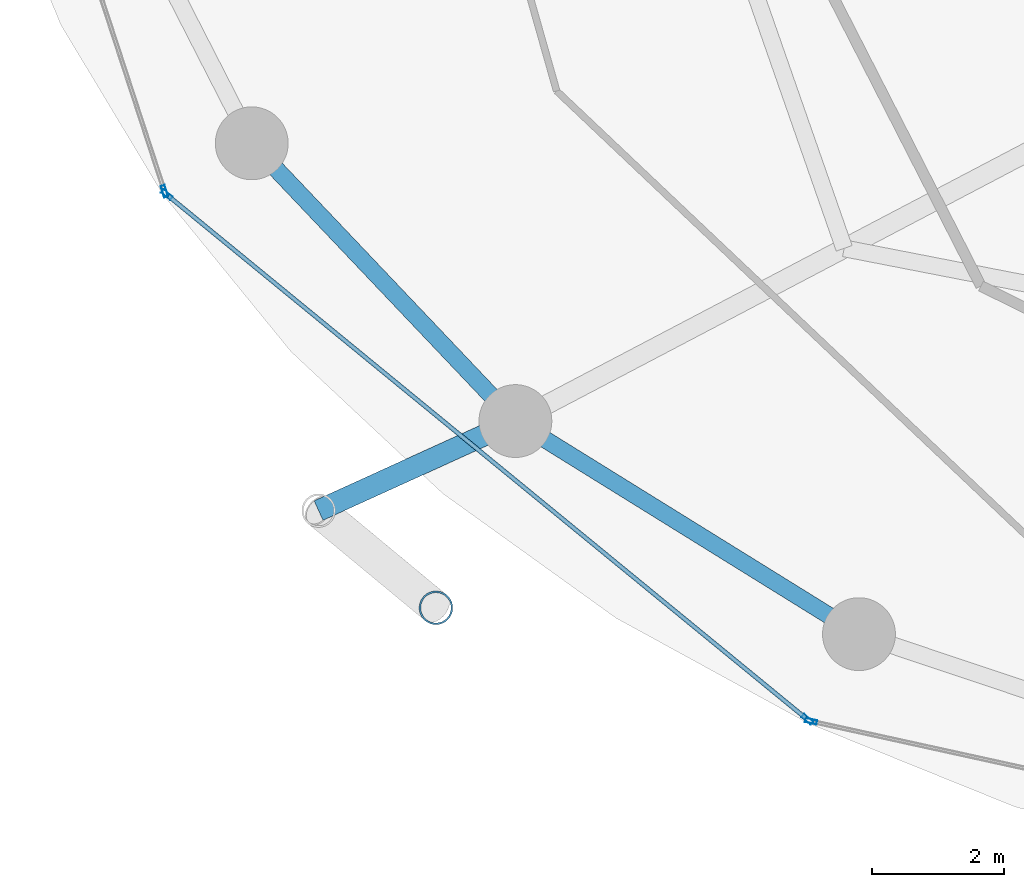
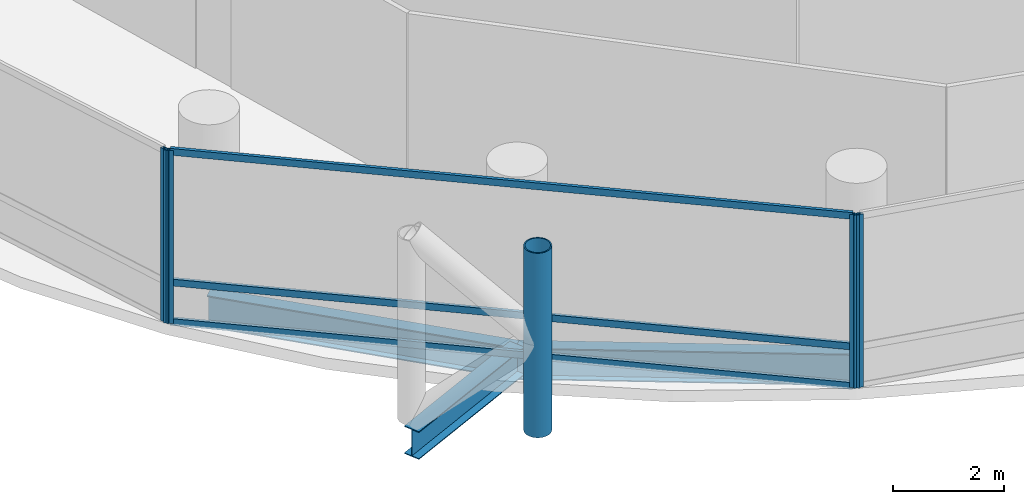
# One storey, part 2 of 24: 8 members, 3 beams, 3 elements without a shape of their own.
"""IFC4 building model written with IfcOpenShell, lengths in metres."""

from ifc_helpers import new_model, si_unit, direction, frame, origin, origin_2d, place, context, subcontext, project, spatial, hollow_rectangle, hollow_circle, i_section, extrude, material, layer, layer_set, material_profile, profile_set, type_object, element, aggregate, save


model = new_model("IFC4")

# Units and contexts
model_context = context("Model", 3, precision=1e-05, world=origin(), true_north=direction((0.0, 1.0)))
body_context = subcontext(model_context, "Body", "Model", "MODEL_VIEW")
ifc_project = project(units=[si_unit("LENGTHUNIT", "METRE"), si_unit("AREAUNIT", "SQUARE_METRE"), si_unit("VOLUMEUNIT", "CUBIC_METRE"), si_unit("PLANEANGLEUNIT", "RADIAN"), si_unit("MASSUNIT", "GRAM", prefix="KILO")], contexts=[model_context])

# Site, building, storey
site_placement = place(None, origin())
site = spatial("IfcSite", under=ifc_project, at=site_placement, CompositionType="ELEMENT")
building_placement = place(site_placement, origin())
building = spatial("IfcBuilding", under=site, at=building_placement, Name="Nuhasar Tower", CompositionType="ELEMENT")
storey_placement = place(building_placement, frame((0.0, 0.0, 77.699951171875)))
storey = spatial("IfcBuildingStorey", under=building, at=storey_placement, Name="L18", CompositionType="ELEMENT", Elevation=77.699951171875)

# Beams
ifc_material_1 = material(Name="Steel S355", Category="steel")
ifc_material_profile_1 = material_profile(ifc_material_1, i_section(OverallWidth=0.256103515625, OverallDepth=0.693115234375, WebThickness=0.014404296875, FlangeThickness=0.023681640625, at=origin_2d()), Name="W27X114")
ifc_profile_set_1 = profile_set([ifc_material_profile_1], Name="Steel S355")
beam_type_1 = type_object("IfcBeamType", Name="BM-RING-W27X114", PredefinedType="SPANDREL", material=ifc_profile_set_1)
beam_1_placement = place(storey_placement, frame((17.305908203125, 16.675048828125, -0.596923828125), z_axis=(0.688459812429, -0.725274490569, 0.0), x_axis=(0.725274490569, 0.688459812429, 0.0)))
element("IfcBeam", 1, at=beam_1_placement, inside=storey, type_object=beam_type_1, Name="L18 Perimeter Ring Spandrel 15", PredefinedType="SPANDREL", context=body_context, shape_type="SweptSolid", body=[
    extrude(i_section(OverallWidth=0.256103515625, OverallDepth=0.693115234375, WebThickness=0.014404296875, FlangeThickness=0.023681640625, at=origin_2d()), origin(), (0.0, 0.0, 1.0), 5.78271484375),
])
beam_2_placement = place(storey_placement, frame((21.287109375, 12.48095703125, -0.596923828125), z_axis=(0.849795216549, -0.527112976439, 0.0), x_axis=(0.527112976439, 0.849795216549, 0.0)))
element("IfcBeam", 2, at=beam_2_placement, inside=storey, type_object=beam_type_1, Name="L18 Perimeter Ring Spandrel 16", PredefinedType="SPANDREL", context=body_context, shape_type="SweptSolid", body=[
    extrude(i_section(OverallWidth=0.256103515625, OverallDepth=0.693115234375, WebThickness=0.014404296875, FlangeThickness=0.023681640625, at=origin_2d()), origin(), (0.0, 0.0, 1.0), 6.10498046875),
])
ifc_material_profile_2 = material_profile(ifc_material_1, i_section(OverallWidth=0.323974609375, OverallDepth=0.611083984375, WebThickness=0.0126953125, FlangeThickness=0.01904296875, at=origin_2d()), Name="W24X104")
ifc_profile_set_2 = profile_set([ifc_material_profile_2], Name="Steel S355")
beam_type_2 = type_object("IfcBeamType", Name="BM-TIE-W24X104", PredefinedType="BEAM", material=ifc_profile_set_2)
beam_3_placement = place(storey_placement, frame((21.287109375, 12.48095703125, -0.554931640625), z_axis=(-0.910243528587, -0.414073325227, 0.0), x_axis=(0.414073325227, -0.910243528587, 0.0)))
element("IfcBeam", 3, at=beam_3_placement, inside=storey, type_object=beam_type_2, Name="L18 Exoskeleton Node Tie Beam 08", PredefinedType="BEAM", context=body_context, shape_type="SweptSolid", body=[
    extrude(i_section(OverallWidth=0.323974609375, OverallDepth=0.611083984375, WebThickness=0.0126953125, FlangeThickness=0.01904296875, at=origin_2d()), origin(), (0.0, 0.0, 1.0), 3.26513671875),
])

# Curtain wall, member
ifc_material_2 = material(Name="Aluminium 6063-T6", Category="aluminium")
ifc_layer = layer(ifc_material_2, 0.199951171875)
ifc_layer_set = layer_set([ifc_layer], Name="Aluminium 6063-T6")
curtain_wall_type = type_object("IfcCurtainWallType", Name="CW-Z1-OFF", PredefinedType="NOTDEFINED", material=ifc_layer_set)
curtain_wall_1_placement = place(storey_placement, origin())
curtain_wall_1 = element("IfcCurtainWall", 4, at=curtain_wall_1_placement, inside=storey, type_object=curtain_wall_type, Name="L18 Unitised Curtain Wall 07", PredefinedType="NOTDEFINED")
ifc_material_profile_3 = material_profile(ifc_material_2, hollow_rectangle(XDim=0.06494140625, YDim=0.179931640625, WallThickness=0.0048828125, at=origin_2d()), Name="CWM-2")
ifc_profile_set_3 = profile_set([ifc_material_profile_3], Name="Aluminium 6063-T6")
member_type_1 = type_object("IfcMemberType", Name="CW-MUL-S2", PredefinedType="MULLION", material=ifc_profile_set_3)
member_1_placement = place(storey_placement, frame((15.98779296875, 15.950927734375, 0.0), z_axis=(0.0, 0.0, 1.0), x_axis=(0.950467534571, 0.310823849997, 0.0)))
member_1 = element("IfcMember", 5, at=member_1_placement, type_object=member_type_1, Name="CW-Z1 mullion 2", PredefinedType="MULLION", context=body_context, shape_type="SweptSolid", body=[
    extrude(hollow_rectangle(XDim=0.06494140625, YDim=0.179931640625, WallThickness=0.0048828125, at=origin_2d()), origin(), (0.0, 0.0, 1.0), 3.800048828125),
])
aggregate(curtain_wall_1, [member_1])

# Curtain wall, members
curtain_wall_2_placement = place(storey_placement, origin())
curtain_wall_2 = element("IfcCurtainWall", 6, at=curtain_wall_2_placement, inside=storey, type_object=curtain_wall_type, Name="L18 Unitised Curtain Wall 08", PredefinedType="NOTDEFINED")
member_2_placement = place(storey_placement, frame((16.023193359375, 15.8994140625, 0.0), z_axis=(0.0, 0.0, 1.0), x_axis=(0.633744593376, 0.773542364946, 0.0)))
member_2 = element("IfcMember", 7, at=member_2_placement, type_object=member_type_1, Name="CW-Z1 mullion 1", PredefinedType="MULLION", context=body_context, shape_type="SweptSolid", body=[
    extrude(hollow_rectangle(XDim=0.06494140625, YDim=0.179931640625, WallThickness=0.0048828125, at=origin_2d()), origin(), (0.0, 0.0, 1.0), 3.800048828125),
])
member_3_placement = place(storey_placement, frame((25.69482421875, 7.9755859375, 0.0), z_axis=(0.0, 0.0, 1.0), x_axis=(0.633744593376, 0.773542364946, 0.0)))
member_3 = element("IfcMember", 8, at=member_3_placement, type_object=member_type_1, Name="CW-Z1 mullion 2", PredefinedType="MULLION", context=body_context, shape_type="SweptSolid", body=[
    extrude(hollow_rectangle(XDim=0.06494140625, YDim=0.179931640625, WallThickness=0.0048828125, at=origin_2d()), origin(), (0.0, 0.0, 1.0), 3.800048828125),
])

# Curtain wall, member
curtain_wall_3_placement = place(storey_placement, origin())
curtain_wall_3 = element("IfcCurtainWall", 9, at=curtain_wall_3_placement, inside=storey, type_object=curtain_wall_type, Name="L18 Unitised Curtain Wall 09", PredefinedType="NOTDEFINED")
member_4_placement = place(storey_placement, frame((25.751708984375, 7.947998046875, 0.0), z_axis=(0.0, 0.0, 1.0), x_axis=(0.214398737637, 0.976746221544, 0.0)))
member_4 = element("IfcMember", 10, at=member_4_placement, type_object=member_type_1, Name="CW-Z1 mullion 1", PredefinedType="MULLION", context=body_context, shape_type="SweptSolid", body=[
    extrude(hollow_rectangle(XDim=0.06494140625, YDim=0.179931640625, WallThickness=0.0048828125, at=origin_2d()), origin(), (0.0, 0.0, 1.0), 3.800048828125),
])
aggregate(curtain_wall_3, [member_4])

# Member
ifc_material_profile_4 = material_profile(ifc_material_2, hollow_rectangle(XDim=0.06494140625, YDim=0.14990234375, WallThickness=0.00439453125, at=origin_2d()), Name="CWT-2")
ifc_profile_set_4 = profile_set([ifc_material_profile_4], Name="Aluminium 6063-T6")
member_type_2 = type_object("IfcMemberType", Name="CW-TRN-S2", PredefinedType="USERDEFINED", material=ifc_profile_set_4)
member_5_placement = place(storey_placement, frame((16.04833984375, 15.87890625, 0.032470703125), z_axis=(0.773531229158, -0.633758185365, 0.0), x_axis=(0.633758185365, 0.773531229158, 0.0)))
member_5 = element("IfcMember", 11, at=member_5_placement, type_object=member_type_2, Name="CW-Z1 transom 1.1", ObjectType="TRANSOM", PredefinedType="USERDEFINED", context=body_context, shape_type="SweptSolid", body=[
    extrude(hollow_rectangle(XDim=0.06494140625, YDim=0.14990234375, WallThickness=0.00439453125, at=origin_2d()), origin(), (0.0, 0.0, 1.0), 12.438232421875),
])

member_6_placement = place(storey_placement, frame((16.04833984375, 15.87890625, 0.900146484375), z_axis=(0.773531229158, -0.633758185365, 0.0), x_axis=(0.633758185365, 0.773531229158, 0.0)))
member_6 = element("IfcMember", 12, at=member_6_placement, type_object=member_type_2, Name="CW-Z1 transom 1.2", ObjectType="TRANSOM", PredefinedType="USERDEFINED", context=body_context, shape_type="SweptSolid", body=[
    extrude(hollow_rectangle(XDim=0.06494140625, YDim=0.14990234375, WallThickness=0.00439453125, at=origin_2d()), origin(), (0.0, 0.0, 1.0), 12.438232421875),
])

member_7_placement = place(storey_placement, frame((16.04833984375, 15.87890625, 3.767578125), z_axis=(0.773531229158, -0.633758185365, 0.0), x_axis=(0.633758185365, 0.773531229158, 0.0)))
member_7 = element("IfcMember", 13, at=member_7_placement, type_object=member_type_2, Name="CW-Z1 transom 1.3", ObjectType="TRANSOM", PredefinedType="USERDEFINED", context=body_context, shape_type="SweptSolid", body=[
    extrude(hollow_rectangle(XDim=0.06494140625, YDim=0.14990234375, WallThickness=0.00439453125, at=origin_2d()), origin(), (0.0, 0.0, 1.0), 12.438232421875),
])

aggregate(curtain_wall_2, [member_2, member_3, member_5, member_6, member_7])

ifc_material_3 = material(Name="Steel S460", Category="steel")
ifc_material_profile_5 = material_profile(ifc_material_3, hollow_circle(Radius=0.25390625, WallThickness=0.025390625, at=origin_2d()), Name="HSS508X25.4")
ifc_profile_set_5 = profile_set([ifc_material_profile_5], Name="Steel S460")
member_type_3 = type_object("IfcMemberType", Name="EXO-BRONZE-508", PredefinedType="BRACE", material=ifc_profile_set_5)
member_8_placement = place(storey_placement, frame((20.0869140625, 9.660888671875, 0.0), z_axis=(0.0, 0.0, 1.0), x_axis=(1.0, 0.0, 0.0)))
element("IfcMember", 14, at=member_8_placement, inside=storey, type_object=member_type_3, Name="L18 Exoskeleton Chord Column EC-08B", PredefinedType="BRACE", context=body_context, shape_type="SweptSolid", body=[
    extrude(hollow_circle(Radius=0.25390625, WallThickness=0.025390625, at=origin_2d()), origin(), (0.0, 0.0, 1.0), 4.050048828125),
])

save(model, "model.ifc")
